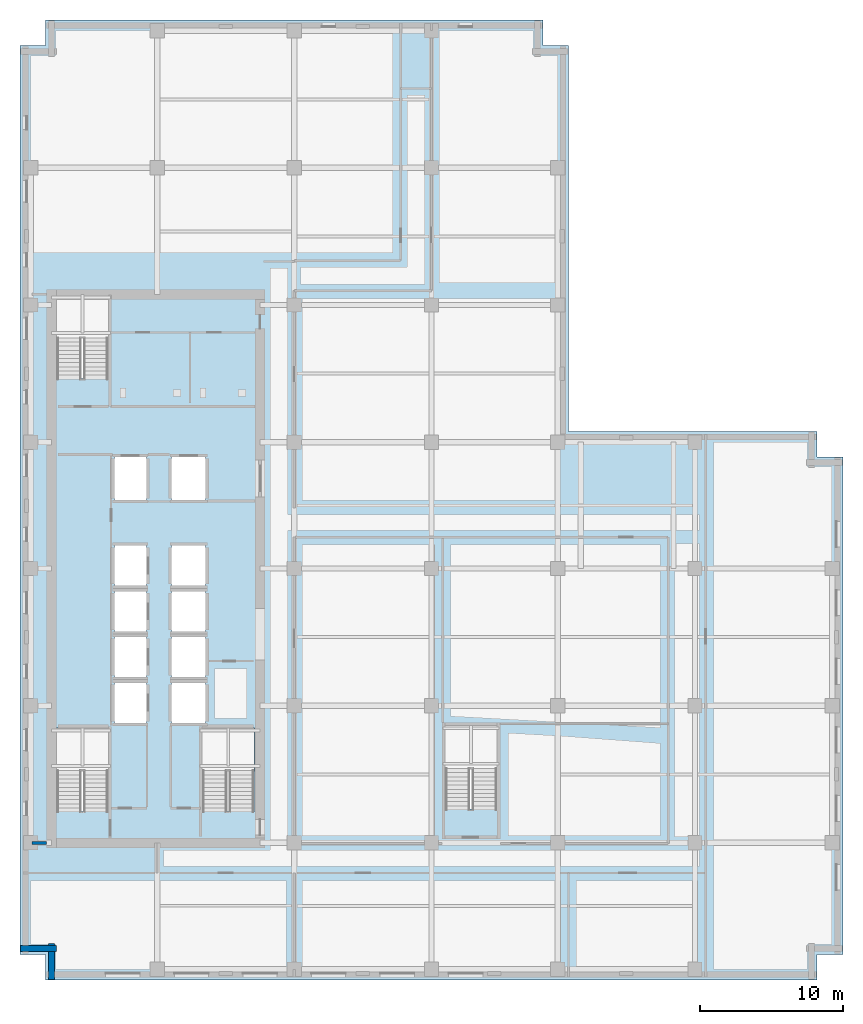
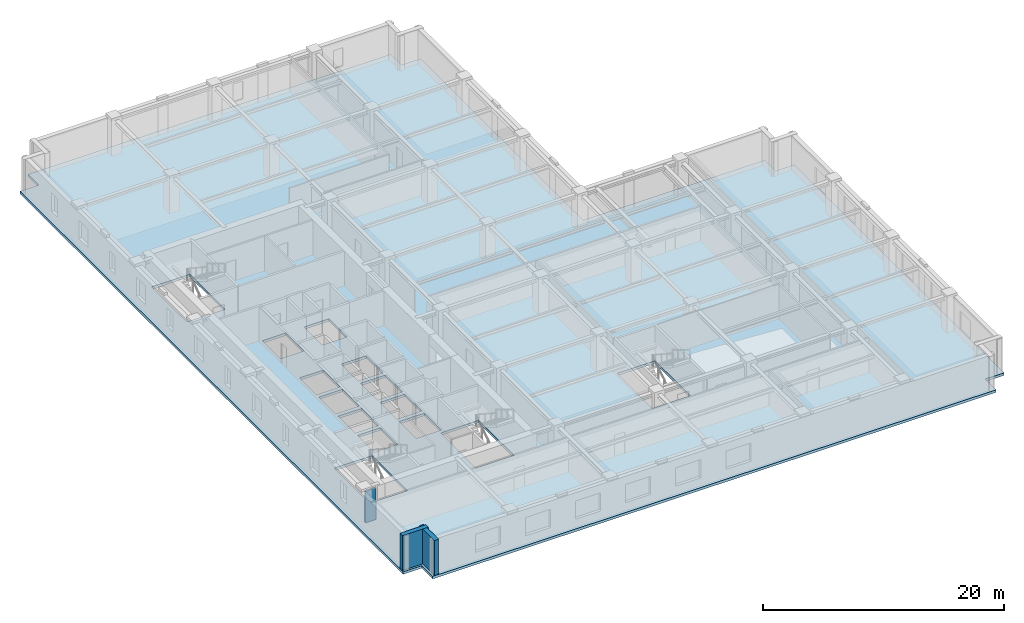
# One storey, part 3 of 12: 3 walls, 1 slab.
"""IFC4 building model written with IfcOpenShell, lengths in metres."""

import ifcopenshell
import ifcopenshell.guid

model = None  # the IFC model being written
_history = None  # IfcOwnerHistory: only IFC2X3 demands one
_inside = {}  # id of a spatial element -> (the spatial element, [elements in it])
_under = {}  # id of a project, library or spatial element -> (it, [spatial elements below it])
_declared = {}  # id of a project -> (the project, [libraries it declares])
_typed = {}  # id of a type object -> (the type object, [elements of that type])
_made_of = {}  # id of a material, layer set ... -> (it, [elements and type objects made of it])


def new_model(schema):
    """Start an empty IFC model of exactly this schema.

    Asked for "IFC4X3", IfcOpenShell would pick the latest addendum, in which some entities
    have other attributes; the version numbers below select the first issue.
    IFC2X3 requires an IfcOwnerHistory on every rooted entity: one is made here for all.
    """
    global model, _history
    if schema == "IFC4X3":
        model = ifcopenshell.file(schema_version=(4, 3, 0, 0))
    else:
        model = ifcopenshell.file(schema=schema)
    _inside.clear()
    _under.clear()
    _declared.clear()
    _typed.clear()
    _made_of.clear()
    _history = None
    if model.schema == "IFC2X3":
        org = make("IfcOrganization", Name="unknown")
        user = make(
            "IfcPersonAndOrganization",
            ThePerson=make("IfcPerson", FamilyName="unknown"),
            TheOrganization=org,
        )
        app = make(
            "IfcApplication",
            ApplicationDeveloper=org,
            Version="unknown",
            ApplicationFullName="unknown",
            ApplicationIdentifier="unknown",
        )
        _history = make(
            "IfcOwnerHistory",
            OwningUser=user,
            OwningApplication=app,
            ChangeAction="ADDED",
            CreationDate=0,
        )
    return model


def make(cls, **values):
    """One entity of the class cls with the attributes given. An attribute that is None is left unset."""
    return model.create_entity(
        cls, **{name: value for name, value in values.items() if value is not None}
    )


def rooted(cls, **values):
    """An entity with a GlobalId (a new one), such as an element, a storey or a relation."""
    return make(cls, GlobalId=ifcopenshell.guid.new(), OwnerHistory=_history, **values)


def si_unit(unit_type, name, prefix=None):
    """IfcSIUnit, for example si_unit("LENGTHUNIT", "METRE", prefix="MILLI")."""
    return make("IfcSIUnit", UnitType=unit_type, Prefix=prefix, Name=name)


def assignment(units):
    """IfcUnitAssignment: the units of a project."""
    return None if units is None else make("IfcUnitAssignment", Units=units)


def point(xyz):
    """IfcCartesianPoint."""
    return None if xyz is None else make("IfcCartesianPoint", Coordinates=xyz)


def direction(xyz):
    """IfcDirection."""
    return None if xyz is None else make("IfcDirection", DirectionRatios=xyz)


def frame(location, z_axis=None, x_axis=None):
    """IfcAxis2Placement3D, a coordinate frame: its origin and axes. An axis left out is left unset."""
    return make(
        "IfcAxis2Placement3D",
        Location=point(location),
        Axis=direction(z_axis),
        RefDirection=direction(x_axis),
    )


def frame_2d(location, x_axis=None):
    """IfcAxis2Placement2D, a coordinate frame in the plane: its origin and x axis."""
    return make(
        "IfcAxis2Placement2D", Location=point(location), RefDirection=direction(x_axis)
    )


def origin():
    """The frame at (0, 0, 0) with its axes left unset."""
    return frame((0.0, 0.0, 0.0))


def place(relative_to, where):
    """IfcLocalPlacement: puts the frame where relative to a parent placement (None: the world)."""
    return make(
        "IfcLocalPlacement", PlacementRelTo=relative_to, RelativePlacement=where
    )


def context(
    kind, dimensions, precision=None, world=None, true_north=None, identifier=None
):
    """IfcGeometricRepresentationContext, for example the 3D "Model" context."""
    return make(
        "IfcGeometricRepresentationContext",
        ContextIdentifier=identifier,
        ContextType=kind,
        CoordinateSpaceDimension=dimensions,
        Precision=precision,
        WorldCoordinateSystem=world,
        TrueNorth=true_north,
    )


def subcontext(parent, identifier, kind, view, scale=None):
    """IfcGeometricRepresentationSubContext, for example "Body" below "Model"."""
    return make(
        "IfcGeometricRepresentationSubContext",
        ContextIdentifier=identifier,
        ContextType=kind,
        ParentContext=parent,
        TargetScale=scale,
        TargetView=view,
    )


def project(units=None, contexts=None):
    """IfcProject with its units and contexts."""
    return rooted(
        "IfcProject",
        Name="project",
        RepresentationContexts=contexts,
        UnitsInContext=assignment(units),
    )


def spatial(cls, under=None, at=None, **own):
    """A site, building, storey or space (cls), placed at a placement, below another one or the project."""
    s = rooted(cls, ObjectPlacement=at, **own)
    if under is not None:
        _under.setdefault(under.id(), (under, []))[1].append(s)
    return s


def polyline(points):
    """IfcPolyline through the points."""
    return make("IfcPolyline", Points=[point(p) for p in points])


def profile(cls, at=None, kind="AREA", **sizes):
    """A parametric profile (cls). Its sizes go by their IFC names, for example OverallWidth=200.0."""
    return make(cls, ProfileType=kind, Position=at, **sizes)


def rectangle(**sizes):
    """IfcRectangleProfileDef."""
    return profile("IfcRectangleProfileDef", **sizes)


def outline(outer, holes=None, kind="AREA"):
    """IfcArbitraryClosedProfileDef: a profile drawn as a closed curve; with holes, ...WithVoids."""
    if holes is None:
        return make("IfcArbitraryClosedProfileDef", ProfileType=kind, OuterCurve=outer)
    return make(
        "IfcArbitraryProfileDefWithVoids",
        ProfileType=kind,
        OuterCurve=outer,
        InnerCurves=holes,
    )


def extrude(swept, where, along, depth):
    """IfcExtrudedAreaSolid: the profile swept, set in the frame where, extruded along a direction by depth."""
    return make(
        "IfcExtrudedAreaSolid",
        SweptArea=swept,
        Position=where,
        ExtrudedDirection=direction(along),
        Depth=depth,
    )


def shape(context_of_items, identifier, shape_type, items):
    """IfcShapeRepresentation: the items that make up one representation, for example the "Body"."""
    return make(
        "IfcShapeRepresentation",
        ContextOfItems=context_of_items,
        RepresentationIdentifier=identifier,
        RepresentationType=shape_type,
        Items=items,
    )


def material(Name=None, Category=None):
    """IfcMaterial."""
    return make("IfcMaterial", Name=Name, Category=Category)


def layer(
    of_material, thickness, ventilated=None, Name=None, Category=None, Priority=None
):
    """IfcMaterialLayer: one layer of a wall or slab, of a material (None: an air gap)."""
    return make(
        "IfcMaterialLayer",
        Material=of_material,
        LayerThickness=thickness,
        IsVentilated=ventilated,
        Name=Name,
        Category=Category,
        Priority=Priority,
    )


def layer_set(layers, Name=None):
    """IfcMaterialLayerSet."""
    return make("IfcMaterialLayerSet", MaterialLayers=layers, LayerSetName=Name)


def made_of(thing, what):
    """Note that an element or type object is made of a material, layer set ...; save() writes the relation."""
    if what is not None:
        _made_of.setdefault(what.id(), (what, []))[1].append(thing)
    return thing


def type_object(cls, material=None, **own):
    """A type object (cls), such as IfcWallType, which elements share."""
    return made_of(rooted(cls, **own), material)


def element(
    cls,
    number,
    at=None,
    inside=None,
    cuts=None,
    type_object=None,
    material=None,
    context=None,
    identifier="Body",
    shape_type=None,
    held_by="IfcProductDefinitionShape",
    body=None,
    shapes=None,
    **own,
):
    """One element of the class cls, such as IfcWall. Its Tag is "e" and its number.

    at: its placement. inside: the storey or other place that contains it. cuts: it is an
    opening in that element (IfcRelVoidsElement). A single representation is given by context,
    identifier, shape_type and body (its items); several are given by shapes. held_by: the class
    of the entity that holds the representations. save() writes the other relations.
    """
    e = rooted(cls, Tag="e%d" % number, ObjectPlacement=at, **own)
    if body is not None:
        shapes = [shape(context, identifier, shape_type, body)]
    if shapes is not None:
        e.Representation = make(held_by, Representations=shapes)
    if inside is not None:
        _inside.setdefault(inside.id(), (inside, []))[1].append(e)
    if cuts is not None:
        rooted(
            "IfcRelVoidsElement", RelatingBuildingElement=cuts, RelatedOpeningElement=e
        )
    if type_object is not None:
        _typed.setdefault(type_object.id(), (type_object, []))[1].append(e)
    return made_of(e, material)


def aggregate(whole, parts):
    """IfcRelAggregates: a whole, such as a stair, and the parts it consists of."""
    return rooted("IfcRelAggregates", RelatingObject=whole, RelatedObjects=parts)


def save(model, path):
    """Write the relations noted so far, then the file.

    IfcRelAggregates (storeys below a building ...), IfcRelContainedInSpatialStructure (elements
    in a storey), IfcRelDefinesByType, IfcRelAssociatesMaterial and IfcRelDeclares: one each for
    every whole, place, type object, material and project.
    """
    for whole, parts in _under.values():
        aggregate(whole, parts)
    for where, things in _inside.values():
        rooted(
            "IfcRelContainedInSpatialStructure",
            RelatedElements=things,
            RelatingStructure=where,
        )
    for kind, things in _typed.values():
        rooted("IfcRelDefinesByType", RelatedObjects=things, RelatingType=kind)
    for what, things in _made_of.values():
        rooted("IfcRelAssociatesMaterial", RelatedObjects=things, RelatingMaterial=what)
    for by, libraries in _declared.values():
        rooted("IfcRelDeclares", RelatingContext=by, RelatedDefinitions=libraries)
    model.write(path)


model = new_model("IFC4")

# Units and contexts
model_context = context("Model", 3, precision=1e-05, world=origin(), true_north=direction((0.0, 1.0)))
body_context = subcontext(model_context, "Body", "Model", "MODEL_VIEW")
ifc_project = project(units=[si_unit("LENGTHUNIT", "METRE"), si_unit("AREAUNIT", "SQUARE_METRE"), si_unit("VOLUMEUNIT", "CUBIC_METRE"), si_unit("PLANEANGLEUNIT", "RADIAN"), si_unit("MASSUNIT", "GRAM", prefix="KILO")], contexts=[model_context])

# Site, building, storey
site_placement = place(None, origin())
site = spatial("IfcSite", under=ifc_project, at=site_placement, CompositionType="ELEMENT")
building_placement = place(site_placement, origin())
building = spatial("IfcBuilding", under=site, at=building_placement, Name="Norrvale University Quadrangle", CompositionType="ELEMENT")
storey_placement = place(building_placement, frame((0.0, 0.0, 109.0)))
storey = spatial("IfcBuildingStorey", under=building, at=storey_placement, Name="L27", CompositionType="ELEMENT", Elevation=109.0)

# Slab
ifc_material_1 = material(Name="Concrete C40/50", Category="concrete")
ifc_layer_1 = layer(ifc_material_1, 0.260009765625, Name="Concrete C40/50")
ifc_layer_set_1 = layer_set([ifc_layer_1], Name="Concrete C40/50")
slab_type = type_object("IfcSlabType", Name="Slab Tower Typ 260", PredefinedType="FLOOR", material=ifc_layer_set_1)
slab_placement = place(storey_placement, frame((0.0, 0.0, -0.260009765625)))
element("IfcSlab", 1, at=slab_placement, inside=storey, type_object=slab_type, Name="Tower L27 Floor Slab", PredefinedType="FLOOR", context=body_context, shape_type="SweptSolid", body=[
    extrude(outline(polyline([(1.800048828125, 0.0), (55.800048828125, 0.0), (55.800048828125, 1.800048828125), (57.60009765625, 1.800048828125), (57.60009765625, 36.60009765625), (55.800048828125, 36.60009765625), (55.800048828125, 38.39990234375), (38.39990234375, 38.39990234375), (38.39990234375, 65.39990234375), (36.60009765625, 65.39990234375), (36.60009765625, 67.199951171875), (1.800048828125, 67.199951171875), (1.800048828125, 65.39990234375), (0.0, 65.39990234375), (0.0, 1.800048828125), (1.800048828125, 1.800048828125), (1.800048828125, 0.0)]), holes=[polyline([(2.550048828125, 11.81005859375), (6.199951171875, 11.81005859375), (6.199951171875, 17.64990234375), (2.550048828125, 17.64990234375), (2.550048828125, 11.81005859375)]), polyline([(2.550048828125, 42.110107421875), (6.199951171875, 42.110107421875), (6.199951171875, 47.949951171875), (2.550048828125, 47.949951171875), (2.550048828125, 42.110107421875)]), polyline([(12.75, 11.81005859375), (16.39990234375, 11.81005859375), (16.39990234375, 17.64990234375), (12.75, 17.64990234375), (12.75, 11.81005859375)]), polyline([(29.75, 11.9599609375), (33.39990234375, 11.9599609375), (33.39990234375, 17.800048828125), (29.75, 17.800048828125), (29.75, 11.9599609375)]), polyline([(6.60009765625, 18.0), (8.85009765625, 18.0), (8.85009765625, 20.800048828125), (6.60009765625, 20.800048828125), (6.60009765625, 18.0)]), polyline([(6.60009765625, 21.199951171875), (8.85009765625, 21.199951171875), (8.85009765625, 24.0), (6.60009765625, 24.0), (6.60009765625, 21.199951171875)]), polyline([(6.60009765625, 24.39990234375), (8.85009765625, 24.39990234375), (8.85009765625, 27.199951171875), (6.60009765625, 27.199951171875), (6.60009765625, 24.39990234375)]), polyline([(6.60009765625, 27.60009765625), (8.85009765625, 27.60009765625), (8.85009765625, 30.39990234375), (6.60009765625, 30.39990234375), (6.60009765625, 27.60009765625)]), polyline([(10.60009765625, 18.0), (13.0, 18.0), (13.0, 20.800048828125), (10.60009765625, 20.800048828125), (10.60009765625, 18.0)]), polyline([(10.60009765625, 21.199951171875), (13.0, 21.199951171875), (13.0, 24.0), (10.60009765625, 24.0), (10.60009765625, 21.199951171875)]), polyline([(10.60009765625, 24.39990234375), (13.0, 24.39990234375), (13.0, 27.199951171875), (10.60009765625, 27.199951171875), (10.60009765625, 24.39990234375)]), polyline([(10.60009765625, 27.60009765625), (13.0, 27.60009765625), (13.0, 30.39990234375), (10.60009765625, 30.39990234375), (10.60009765625, 27.60009765625)]), polyline([(6.60009765625, 33.60009765625), (8.85009765625, 33.60009765625), (8.85009765625, 36.60009765625), (6.60009765625, 36.60009765625), (6.60009765625, 33.60009765625)]), polyline([(10.60009765625, 33.60009765625), (13.0, 33.60009765625), (13.0, 36.60009765625), (10.60009765625, 36.60009765625), (10.60009765625, 33.60009765625)])]), origin(), (0.0, 0.0, 1.0), 0.260009765625),
])

# Walls
ifc_material_2 = material(Name="Buff Norman Clay Brick Masonry", Category="masonry")
ifc_layer_2 = layer(ifc_material_2, 0.419921875, Name="Buff Norman Clay Brick Masonry")
ifc_layer_set_2 = layer_set([ifc_layer_2], Name="Buff Norman Clay Brick Masonry")
wall_type_1 = type_object("IfcWallType", Name="Wall Buff Brick 420", PredefinedType="SOLIDWALL", material=ifc_layer_set_2)
for number, where, z_axis, x_axis, name in (
    (2, (0.0400390625, 2.18994140625, 0.0), (0.0, 0.0, 1.0), (1.0, 0.0, 0.0), "Exterior Brick Facade Wall L27-15.1"),
    (3, (2.18994140625, 2.5400390625, 0.0), (0.0, 0.0, 1.0), (0.0, -1.0, 0.0), "Exterior Brick Facade Wall L27-16.1"),
):
    element("IfcWall", number, at=place(storey_placement, frame(where, z_axis=z_axis, x_axis=x_axis)), inside=storey, type_object=wall_type_1, Name=name, PredefinedType="SOLIDWALL", context=body_context, shape_type="SweptSolid", body=[
        extrude(rectangle(XDim=2.5, YDim=0.419921875, at=frame_2d((1.25, 0.0))), origin(), (0.0, 0.0, 1.0), 3.5400390625),
    ])
ifc_material_3 = material(Name="Concrete Blockwork 20 MPa Rated Wall", Category="masonry")
ifc_layer_3 = layer(ifc_material_3, 0.199951171875, Name="Concrete Blockwork 20 MPa Rated Wall")
ifc_layer_set_3 = layer_set([ifc_layer_3], Name="Concrete Blockwork 20 MPa Rated Wall")
wall_type_2 = type_object("IfcWallType", Name="Wall Lobby 200", PredefinedType="SOLIDWALL", material=ifc_layer_set_3)
wall_placement = place(storey_placement, frame((0.85009765625, 9.60009765625, 0.0), z_axis=(0.0, 0.0, 1.0), x_axis=(1.0, 0.0, 0.0)))
element("IfcWall", 4, at=wall_placement, inside=storey, type_object=wall_type_2, Name="Interior Partition WL-L27-CWRET-S", PredefinedType="SOLIDWALL", context=body_context, shape_type="SweptSolid", body=[
    extrude(rectangle(XDim=0.994873046875, YDim=0.199951171875, at=frame_2d((0.49755859375, 0.0))), origin(), (0.0, 0.0, 1.0), 3.18408203125),
])

save(model, "model.ifc")
